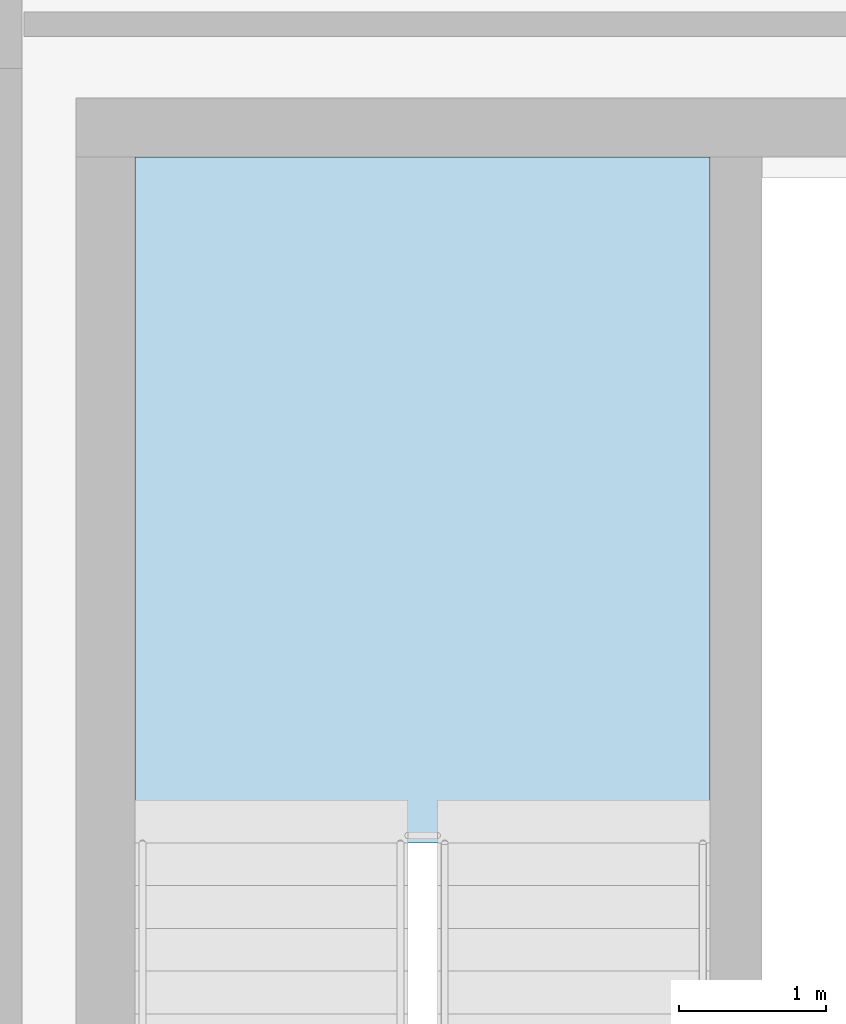
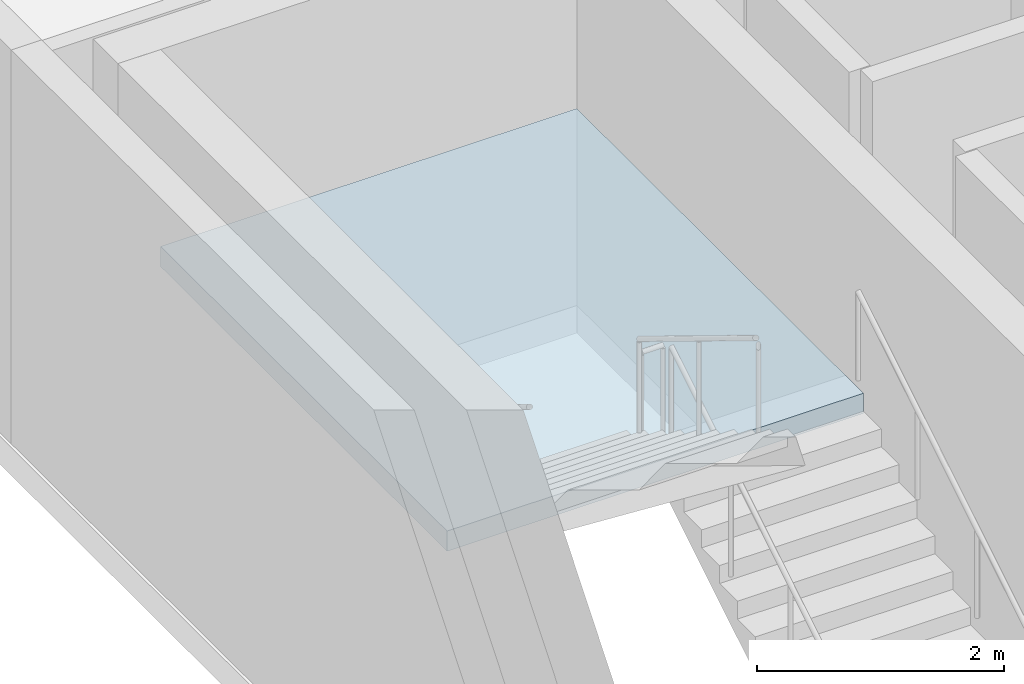
# One storey, part 22 of 46: 1 slab, 1 element without a shape of its own.
"""IFC4 building model written with IfcOpenShell, lengths in metres."""

import ifcopenshell
import ifcopenshell.guid

model = None  # the IFC model being written
_history = None  # IfcOwnerHistory: only IFC2X3 demands one
_inside = {}  # id of a spatial element -> (the spatial element, [elements in it])
_under = {}  # id of a project, library or spatial element -> (it, [spatial elements below it])
_declared = {}  # id of a project -> (the project, [libraries it declares])
_typed = {}  # id of a type object -> (the type object, [elements of that type])
_made_of = {}  # id of a material, layer set ... -> (it, [elements and type objects made of it])


def new_model(schema):
    """Start an empty IFC model of exactly this schema.

    Asked for "IFC4X3", IfcOpenShell would pick the latest addendum, in which some entities
    have other attributes; the version numbers below select the first issue.
    IFC2X3 requires an IfcOwnerHistory on every rooted entity: one is made here for all.
    """
    global model, _history
    if schema == "IFC4X3":
        model = ifcopenshell.file(schema_version=(4, 3, 0, 0))
    else:
        model = ifcopenshell.file(schema=schema)
    _inside.clear()
    _under.clear()
    _declared.clear()
    _typed.clear()
    _made_of.clear()
    _history = None
    if model.schema == "IFC2X3":
        org = make("IfcOrganization", Name="unknown")
        user = make(
            "IfcPersonAndOrganization",
            ThePerson=make("IfcPerson", FamilyName="unknown"),
            TheOrganization=org,
        )
        app = make(
            "IfcApplication",
            ApplicationDeveloper=org,
            Version="unknown",
            ApplicationFullName="unknown",
            ApplicationIdentifier="unknown",
        )
        _history = make(
            "IfcOwnerHistory",
            OwningUser=user,
            OwningApplication=app,
            ChangeAction="ADDED",
            CreationDate=0,
        )
    return model


def make(cls, **values):
    """One entity of the class cls with the attributes given. An attribute that is None is left unset."""
    return model.create_entity(
        cls, **{name: value for name, value in values.items() if value is not None}
    )


def rooted(cls, **values):
    """An entity with a GlobalId (a new one), such as an element, a storey or a relation."""
    return make(cls, GlobalId=ifcopenshell.guid.new(), OwnerHistory=_history, **values)


def si_unit(unit_type, name, prefix=None):
    """IfcSIUnit, for example si_unit("LENGTHUNIT", "METRE", prefix="MILLI")."""
    return make("IfcSIUnit", UnitType=unit_type, Prefix=prefix, Name=name)


def assignment(units):
    """IfcUnitAssignment: the units of a project."""
    return None if units is None else make("IfcUnitAssignment", Units=units)


def point(xyz):
    """IfcCartesianPoint."""
    return None if xyz is None else make("IfcCartesianPoint", Coordinates=xyz)


def direction(xyz):
    """IfcDirection."""
    return None if xyz is None else make("IfcDirection", DirectionRatios=xyz)


def frame(location, z_axis=None, x_axis=None):
    """IfcAxis2Placement3D, a coordinate frame: its origin and axes. An axis left out is left unset."""
    return make(
        "IfcAxis2Placement3D",
        Location=point(location),
        Axis=direction(z_axis),
        RefDirection=direction(x_axis),
    )


def origin():
    """The frame at (0, 0, 0) with its axes left unset."""
    return frame((0.0, 0.0, 0.0))


def place(relative_to, where):
    """IfcLocalPlacement: puts the frame where relative to a parent placement (None: the world)."""
    return make(
        "IfcLocalPlacement", PlacementRelTo=relative_to, RelativePlacement=where
    )


def context(
    kind, dimensions, precision=None, world=None, true_north=None, identifier=None
):
    """IfcGeometricRepresentationContext, for example the 3D "Model" context."""
    return make(
        "IfcGeometricRepresentationContext",
        ContextIdentifier=identifier,
        ContextType=kind,
        CoordinateSpaceDimension=dimensions,
        Precision=precision,
        WorldCoordinateSystem=world,
        TrueNorth=true_north,
    )


def subcontext(parent, identifier, kind, view, scale=None):
    """IfcGeometricRepresentationSubContext, for example "Body" below "Model"."""
    return make(
        "IfcGeometricRepresentationSubContext",
        ContextIdentifier=identifier,
        ContextType=kind,
        ParentContext=parent,
        TargetScale=scale,
        TargetView=view,
    )


def project(units=None, contexts=None):
    """IfcProject with its units and contexts."""
    return rooted(
        "IfcProject",
        Name="project",
        RepresentationContexts=contexts,
        UnitsInContext=assignment(units),
    )


def spatial(cls, under=None, at=None, **own):
    """A site, building, storey or space (cls), placed at a placement, below another one or the project."""
    s = rooted(cls, ObjectPlacement=at, **own)
    if under is not None:
        _under.setdefault(under.id(), (under, []))[1].append(s)
    return s


def polyline(points):
    """IfcPolyline through the points."""
    return make("IfcPolyline", Points=[point(p) for p in points])


def outline(outer, holes=None, kind="AREA"):
    """IfcArbitraryClosedProfileDef: a profile drawn as a closed curve; with holes, ...WithVoids."""
    if holes is None:
        return make("IfcArbitraryClosedProfileDef", ProfileType=kind, OuterCurve=outer)
    return make(
        "IfcArbitraryProfileDefWithVoids",
        ProfileType=kind,
        OuterCurve=outer,
        InnerCurves=holes,
    )


def extrude(swept, where, along, depth):
    """IfcExtrudedAreaSolid: the profile swept, set in the frame where, extruded along a direction by depth."""
    return make(
        "IfcExtrudedAreaSolid",
        SweptArea=swept,
        Position=where,
        ExtrudedDirection=direction(along),
        Depth=depth,
    )


def shape(context_of_items, identifier, shape_type, items):
    """IfcShapeRepresentation: the items that make up one representation, for example the "Body"."""
    return make(
        "IfcShapeRepresentation",
        ContextOfItems=context_of_items,
        RepresentationIdentifier=identifier,
        RepresentationType=shape_type,
        Items=items,
    )


def material(Name=None, Category=None):
    """IfcMaterial."""
    return make("IfcMaterial", Name=Name, Category=Category)


def layer(
    of_material, thickness, ventilated=None, Name=None, Category=None, Priority=None
):
    """IfcMaterialLayer: one layer of a wall or slab, of a material (None: an air gap)."""
    return make(
        "IfcMaterialLayer",
        Material=of_material,
        LayerThickness=thickness,
        IsVentilated=ventilated,
        Name=Name,
        Category=Category,
        Priority=Priority,
    )


def layer_set(layers, Name=None):
    """IfcMaterialLayerSet."""
    return make("IfcMaterialLayerSet", MaterialLayers=layers, LayerSetName=Name)


def made_of(thing, what):
    """Note that an element or type object is made of a material, layer set ...; save() writes the relation."""
    if what is not None:
        _made_of.setdefault(what.id(), (what, []))[1].append(thing)
    return thing


def type_object(cls, material=None, **own):
    """A type object (cls), such as IfcWallType, which elements share."""
    return made_of(rooted(cls, **own), material)


def element(
    cls,
    number,
    at=None,
    inside=None,
    cuts=None,
    type_object=None,
    material=None,
    context=None,
    identifier="Body",
    shape_type=None,
    held_by="IfcProductDefinitionShape",
    body=None,
    shapes=None,
    **own,
):
    """One element of the class cls, such as IfcWall. Its Tag is "e" and its number.

    at: its placement. inside: the storey or other place that contains it. cuts: it is an
    opening in that element (IfcRelVoidsElement). A single representation is given by context,
    identifier, shape_type and body (its items); several are given by shapes. held_by: the class
    of the entity that holds the representations. save() writes the other relations.
    """
    e = rooted(cls, Tag="e%d" % number, ObjectPlacement=at, **own)
    if body is not None:
        shapes = [shape(context, identifier, shape_type, body)]
    if shapes is not None:
        e.Representation = make(held_by, Representations=shapes)
    if inside is not None:
        _inside.setdefault(inside.id(), (inside, []))[1].append(e)
    if cuts is not None:
        rooted(
            "IfcRelVoidsElement", RelatingBuildingElement=cuts, RelatedOpeningElement=e
        )
    if type_object is not None:
        _typed.setdefault(type_object.id(), (type_object, []))[1].append(e)
    return made_of(e, material)


def aggregate(whole, parts):
    """IfcRelAggregates: a whole, such as a stair, and the parts it consists of."""
    return rooted("IfcRelAggregates", RelatingObject=whole, RelatedObjects=parts)


def save(model, path):
    """Write the relations noted so far, then the file.

    IfcRelAggregates (storeys below a building ...), IfcRelContainedInSpatialStructure (elements
    in a storey), IfcRelDefinesByType, IfcRelAssociatesMaterial and IfcRelDeclares: one each for
    every whole, place, type object, material and project.
    """
    for whole, parts in _under.values():
        aggregate(whole, parts)
    for where, things in _inside.values():
        rooted(
            "IfcRelContainedInSpatialStructure",
            RelatedElements=things,
            RelatingStructure=where,
        )
    for kind, things in _typed.values():
        rooted("IfcRelDefinesByType", RelatedObjects=things, RelatingType=kind)
    for what, things in _made_of.values():
        rooted("IfcRelAssociatesMaterial", RelatedObjects=things, RelatingMaterial=what)
    for by, libraries in _declared.values():
        rooted("IfcRelDeclares", RelatingContext=by, RelatedDefinitions=libraries)
    model.write(path)


model = new_model("IFC4")

# Units and contexts
model_context = context("Model", 3, precision=1e-05, world=origin(), true_north=direction((0.0, 1.0)))
body_context = subcontext(model_context, "Body", "Model", "MODEL_VIEW")
ifc_project = project(units=[si_unit("LENGTHUNIT", "METRE"), si_unit("AREAUNIT", "SQUARE_METRE"), si_unit("VOLUMEUNIT", "CUBIC_METRE"), si_unit("PLANEANGLEUNIT", "RADIAN"), si_unit("MASSUNIT", "GRAM", prefix="KILO")], contexts=[model_context])

# Site, building, storey
site_placement = place(None, origin())
site = spatial("IfcSite", under=ifc_project, at=site_placement, CompositionType="ELEMENT")
building_placement = place(site_placement, origin())
building = spatial("IfcBuilding", under=site, at=building_placement, Name="Sollismere Congress Hotel", CompositionType="ELEMENT")
storey_placement = place(building_placement, frame((0.0, 0.0, 19.5)))
storey = spatial("IfcBuildingStorey", under=building, at=storey_placement, Name="L04", CompositionType="ELEMENT", Elevation=19.5)

# Stair, slab
ifc_material = material(Name="Concrete C40/50", Category="concrete")
stair_type = type_object("IfcStairType", Name="STR-DL-390", PredefinedType="HALF_TURN_STAIR", material=ifc_material)
stair_placement = place(storey_placement, origin())
stair = element("IfcStair", 1, at=stair_placement, inside=storey, type_object=stair_type, Name="Protected exit stair ST-03-L04", PredefinedType="HALF_TURN_STAIR")
ifc_layer = layer(ifc_material, 0.199951171875, Name="Concrete C40/50")
ifc_layer_set = layer_set([ifc_layer], Name="Concrete C40/50")
slab_type = type_object("IfcSlabType", Name="SL-LND200", PredefinedType="LANDING", material=ifc_layer_set)
slab_placement = place(storey_placement, frame((0.0, 0.0, 1.75)))
slab = element("IfcSlab", 2, at=slab_placement, type_object=slab_type, Name="Exit stair half-landing ST-03-L04-L1", PredefinedType="LANDING", context=body_context, shape_type="SweptSolid", body=[
    extrude(outline(polyline([(151.699951171875, 44.75), (151.699951171875, 49.39990234375), (147.800048828125, 49.39990234375), (147.800048828125, 44.75), (151.699951171875, 44.75)])), origin(), (0.0, 0.0, 1.0), 0.199951171875),
])
aggregate(stair, [slab])

save(model, "model.ifc")
